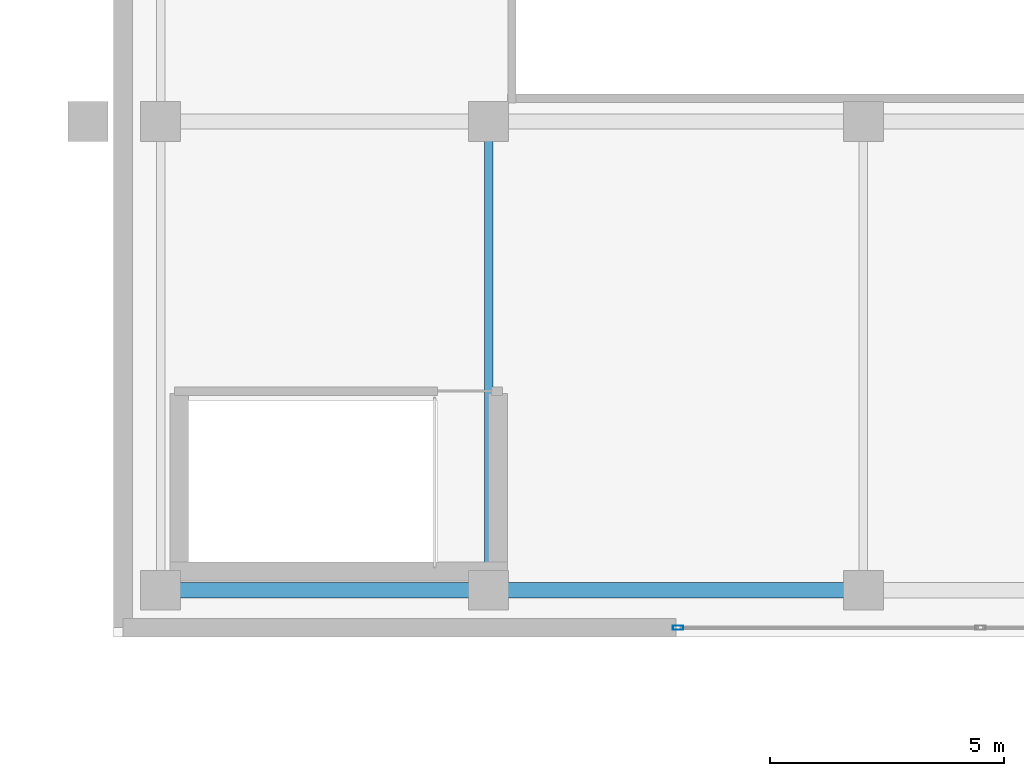
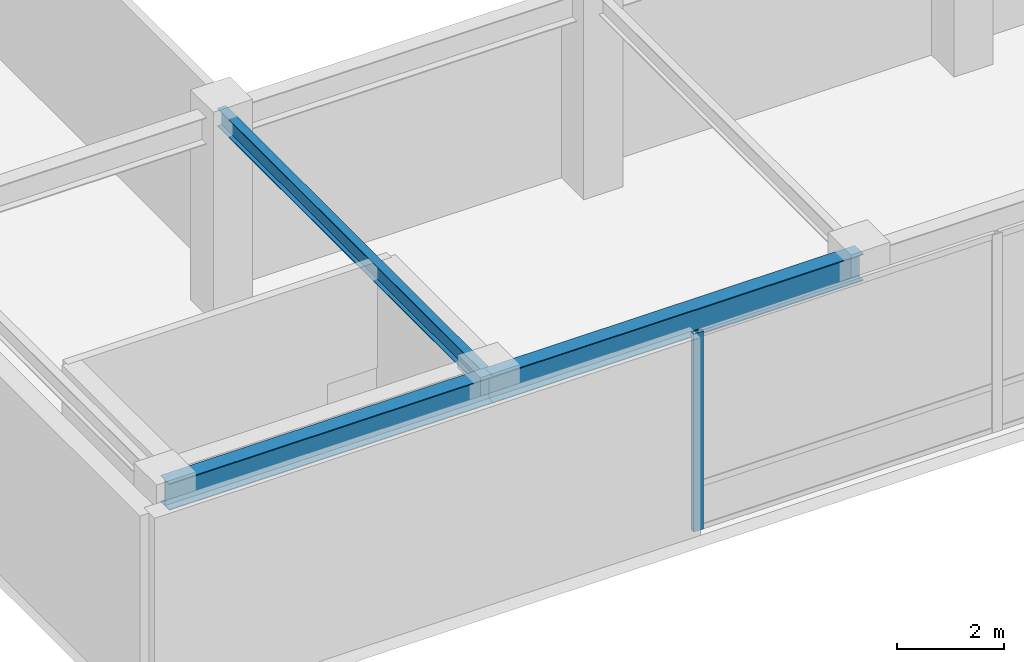
# One storey, part 12 of 36: 3 beams, 1 member, 1 element without a shape of its own.
"""IFC4 building model written with IfcOpenShell, lengths in metres."""

from ifc_helpers import new_model, si_unit, direction, frame, origin, origin_2d, place, context, subcontext, project, spatial, hollow_rectangle, i_section, extrude, material, layer, layer_set, material_profile, profile_set, type_object, element, aggregate, save


model = new_model("IFC4")

# Units and contexts
model_context = context("Model", 3, precision=1e-05, world=origin(), true_north=direction((0.0, 1.0)))
body_context = subcontext(model_context, "Body", "Model", "MODEL_VIEW")
ifc_project = project(units=[si_unit("LENGTHUNIT", "METRE"), si_unit("AREAUNIT", "SQUARE_METRE"), si_unit("VOLUMEUNIT", "CUBIC_METRE"), si_unit("PLANEANGLEUNIT", "RADIAN"), si_unit("MASSUNIT", "GRAM", prefix="KILO")], contexts=[model_context])

# Site, building, storey
site_placement = place(None, origin())
site = spatial("IfcSite", under=ifc_project, at=site_placement, CompositionType="ELEMENT")
building_placement = place(site_placement, origin())
building = spatial("IfcBuilding", under=site, at=building_placement, Name="Kazevale Care Tower and Concert Hall", CompositionType="ELEMENT")
storey_placement = place(building_placement, frame((0.0, 0.0, 14.39990234375)))
storey = spatial("IfcBuildingStorey", under=building, at=storey_placement, Name="L03", CompositionType="ELEMENT", Elevation=14.39990234375)

# Curtain wall, member
ifc_material_1 = material(Name="Aluminium 6063-T6 and Low-E Glass", Category="aluminium")
ifc_layer = layer(ifc_material_1, 0.179931640625)
ifc_layer_set = layer_set([ifc_layer], Name="Aluminium 6063-T6 and Low-E Glass")
curtain_wall_type = type_object("IfcCurtainWallType", Name="Concert Hall Foyer Storefront Curtain Wall CW-6", PredefinedType="NOTDEFINED", material=ifc_layer_set)
curtain_wall_placement = place(storey_placement, origin())
curtain_wall = element("IfcCurtainWall", 1, at=curtain_wall_placement, inside=storey, type_object=curtain_wall_type, Name="cw:L03:hall:S2", PredefinedType="NOTDEFINED")
ifc_material_2 = material(Name="Aluminium 6063-T6", Category="aluminium")
ifc_material_profile_1 = material_profile(ifc_material_2, hollow_rectangle(XDim=0.090087890625, YDim=0.219970703125, WallThickness=0.0048828125, at=origin_2d()), Name="ALU90x220x5")
ifc_profile_set_1 = profile_set([ifc_material_profile_1], Name="Aluminium 6063-T6")
member_type = type_object("IfcMemberType", Name="CW-6 Mullion ALU90x220x5", PredefinedType="MULLION", material=ifc_profile_set_1)
member_placement = place(storey_placement, frame((108.044921875, 14.199951171875, 0.0), z_axis=(0.0, 0.0, 1.0), x_axis=(0.0, 1.0, 0.0)))
member = element("IfcMember", 2, at=member_placement, type_object=member_type, Name="CW-6 mullion 1", PredefinedType="MULLION", context=body_context, shape_type="SweptSolid", body=[
    extrude(hollow_rectangle(XDim=0.090087890625, YDim=0.219970703125, WallThickness=0.0048828125, at=origin_2d()), origin(), (0.0, 0.0, 1.0), 4.52001953125),
])
aggregate(curtain_wall, [member])

# Beams
ifc_material_3 = material(Name="Steel ASTM A572 Gr 50", Category="steel")
ifc_material_profile_2 = material_profile(ifc_material_3, i_section(OverallWidth=0.323974609375, OverallDepth=0.611083984375, WebThickness=0.0126953125, FlangeThickness=0.01904296875, at=origin_2d()), Name="W610x155")
ifc_profile_set_2 = profile_set([ifc_material_profile_2], Name="Steel ASTM A572 Gr 50")
beam_type_1 = type_object("IfcBeamType", Name="Concert Hall Frame Girder W610x155", PredefinedType="BEAM", material=ifc_profile_set_2)
beam_1_placement = place(storey_placement, frame((97.0, 15.0, 4.214599609375), z_axis=(1.0, 0.0, 0.0), x_axis=(0.0, 1.0, 0.0)))
element("IfcBeam", 3, at=beam_1_placement, inside=storey, type_object=beam_type_1, Name="beam:L03:hx:97_15", PredefinedType="BEAM", context=body_context, shape_type="SweptSolid", body=[
    extrude(i_section(OverallWidth=0.323974609375, OverallDepth=0.611083984375, WebThickness=0.0126953125, FlangeThickness=0.01904296875, at=origin_2d()), origin(), (0.0, 0.0, 1.0), 7.0),
])
beam_2_placement = place(storey_placement, frame((104.0, 15.0, 4.214599609375), z_axis=(1.0, 0.0, 0.0), x_axis=(0.0, 1.0, 0.0)))
element("IfcBeam", 4, at=beam_2_placement, inside=storey, type_object=beam_type_1, Name="beam:L03:hx:104_15", PredefinedType="BEAM", context=body_context, shape_type="SweptSolid", body=[
    extrude(i_section(OverallWidth=0.323974609375, OverallDepth=0.611083984375, WebThickness=0.0126953125, FlangeThickness=0.01904296875, at=origin_2d()), origin(), (0.0, 0.0, 1.0), 8.0),
])
ifc_material_profile_3 = material_profile(ifc_material_3, i_section(OverallWidth=0.180908203125, OverallDepth=0.4169921875, WebThickness=0.010986328125, FlangeThickness=0.018310546875, at=origin_2d()), Name="W410x85")
ifc_profile_set_3 = profile_set([ifc_material_profile_3], Name="Steel ASTM A572 Gr 50")
beam_type_2 = type_object("IfcBeamType", Name="Concert Hall Secondary Beam W410x85", PredefinedType="BEAM", material=ifc_profile_set_3)
beam_3_placement = place(storey_placement, frame((104.0, 15.0, 4.3115234375), z_axis=(0.0, 1.0, 0.0), x_axis=(-1.0, 0.0, 0.0)))
element("IfcBeam", 5, at=beam_3_placement, inside=storey, type_object=beam_type_2, Name="beam:L03:hy:104_15", PredefinedType="BEAM", context=body_context, shape_type="SweptSolid", body=[
    extrude(i_section(OverallWidth=0.180908203125, OverallDepth=0.4169921875, WebThickness=0.010986328125, FlangeThickness=0.018310546875, at=origin_2d()), origin(), (0.0, 0.0, 1.0), 10.0),
])

save(model, "model.ifc")
